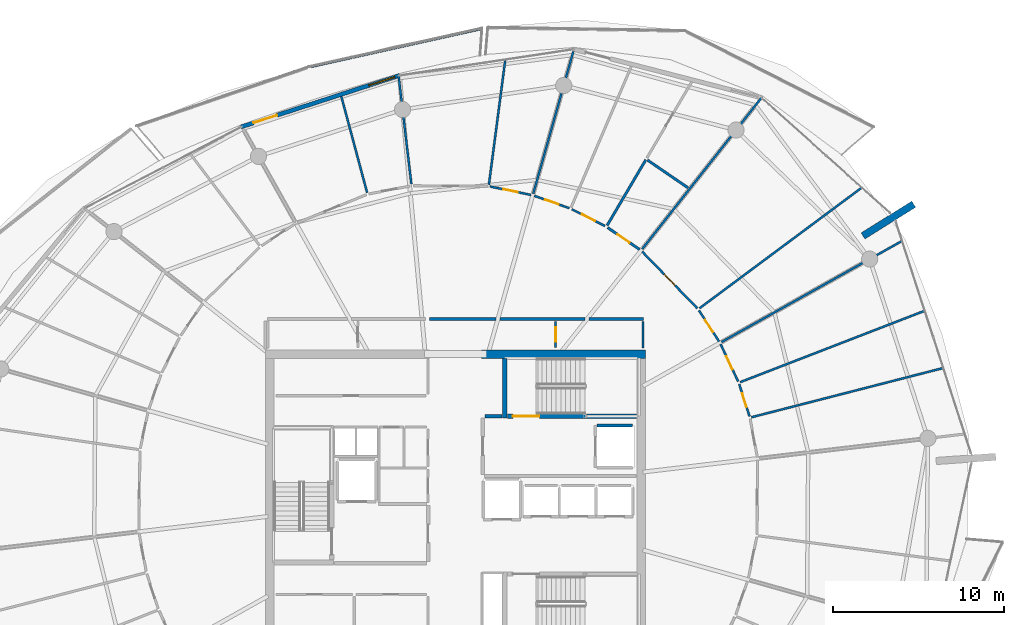
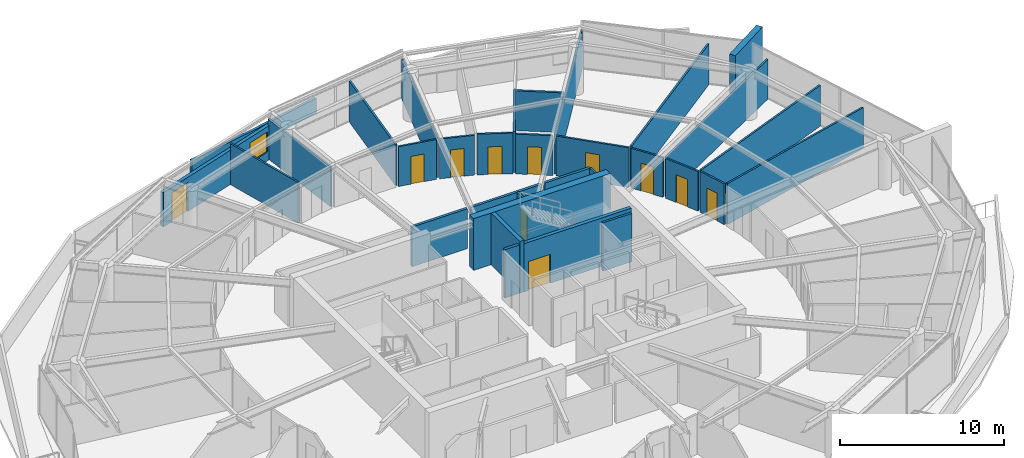
# One storey, part 22 of 30: 32 walls, 11 doors, 1 window, 12 openings.
"""IFC4 building model written with IfcOpenShell, lengths in metres."""

from ifc_helpers import new_model, si_unit, direction, frame, frame_2d, origin, place, context, subcontext, project, spatial, polyline, rectangle, outline, extrude, material, layer, layer_set, type_object, element, fill, save


model = new_model("IFC4")

# Units and contexts
model_context = context("Model", 3, precision=1e-05, world=origin(), true_north=direction((0.0, 1.0)))
body_context = subcontext(model_context, "Body", "Model", "MODEL_VIEW")
ifc_project = project(units=[si_unit("LENGTHUNIT", "METRE"), si_unit("AREAUNIT", "SQUARE_METRE"), si_unit("VOLUMEUNIT", "CUBIC_METRE"), si_unit("PLANEANGLEUNIT", "RADIAN"), si_unit("MASSUNIT", "GRAM", prefix="KILO")], contexts=[model_context])

# Site, building, storey
site_placement = place(None, origin())
site = spatial("IfcSite", under=ifc_project, at=site_placement, CompositionType="ELEMENT")
building_placement = place(site_placement, origin())
building = spatial("IfcBuilding", under=site, at=building_placement, Name="Kazma Halo Residences", CompositionType="ELEMENT")
storey_placement = place(building_placement, frame((0.0, 0.0, 298.300048828125)))
storey = spatial("IfcBuildingStorey", under=building, at=storey_placement, Name="L75", CompositionType="ELEMENT", Elevation=298.300048828125)

# Walls
ifc_material_1 = material(Name="White Concrete C50/60 Balustrade", Category="concrete")
ifc_layer_1 = layer(ifc_material_1, 0.179931640625)
ifc_layer_set_1 = layer_set([ifc_layer_1], Name="White Concrete C50/60 Balustrade")
wall_type_1 = type_object("IfcWallType", Name="WL-BAL-WAVE-180", PredefinedType="PARAPET", material=ifc_layer_set_1)
wall_1_placement = place(storey_placement, frame((49.98291015625, 69.327392578125, 0.0), z_axis=(0.0, 0.0, 1.0), x_axis=(-0.976130464401, -0.217184982143, 0.0)))
element("IfcWall", 1, at=wall_1_placement, inside=storey, type_object=wall_type_1, Name="L75 white wave balustrade wall NNW.1", PredefinedType="PARAPET", context=body_context, shape_type="SweptSolid", body=[
    extrude(outline(polyline([(0.0, 0.0), (10.257568359375, 0.0), (10.25732421875, 1.347900390625), (5.128662109375, 1.181884765625), (0.0, 1.119873046875), (0.0, 0.0)])), frame((0.0, 0.08984375, 0.0), z_axis=(0.0, -1.0, 0.0), x_axis=(1.0, 0.0, 0.0)), (0.0, 0.0, 1.0), 0.179931640625),
])
ifc_material_2 = material(Name="Pale Concrete C60/75", Category="concrete")
ifc_layer_2 = layer(ifc_material_2, 0.419921875)
ifc_layer_set_2 = layer_set([ifc_layer_2], Name="Pale Concrete C60/75")
wall_type_2 = type_object("IfcWallType", Name="WL-BLADE-420", PredefinedType="SOLIDWALL", material=ifc_layer_set_2)
wall_2_placement = place(storey_placement, frame((72.281494140625, 57.172607421875, 0.0), z_axis=(0.0, 0.0, 1.0), x_axis=(0.848033572426, 0.529942506352, 0.0)))
element("IfcWall", 2, at=wall_2_placement, inside=storey, type_object=wall_type_2, Name="L75 pale concrete structural blade fin wall BW-01", PredefinedType="SOLIDWALL", context=body_context, shape_type="SweptSolid", body=[
    extrude(rectangle(XDim=3.5, YDim=0.419921875, at=frame_2d((1.75, 0.0))), origin(), (0.0, 0.0, 1.0), 3.849853515625),
])
ifc_material_3 = material(Name="Concrete C60/75", Category="concrete")
ifc_layer_3 = layer(ifc_material_3, 0.5)
ifc_layer_set_3 = layer_set([ifc_layer_3], Name="Concrete C60/75")
wall_type_3 = type_object("IfcWallType", Name="WL-CORE-500", PredefinedType="SHEAR", material=ifc_layer_set_3)
wall_3_placement = place(storey_placement, frame((49.949951171875, 50.25, 0.0), z_axis=(0.0, 0.0, 1.0), x_axis=(1.0, 0.0, 0.0)))
element("IfcWall", 3, at=wall_3_placement, inside=storey, type_object=wall_type_3, Name="L75 central core shear wall NE", PredefinedType="SHEAR", context=body_context, shape_type="SweptSolid", body=[
    extrude(rectangle(XDim=9.60009765625, YDim=0.5, at=frame_2d((4.800048828125, 0.0))), origin(), (0.0, 0.0, 1.0), 3.849853515625),
])
ifc_layer_4 = layer(ifc_material_3, 0.280029296875)
ifc_layer_set_4 = layer_set([ifc_layer_4], Name="Concrete C60/75")
wall_type_4 = type_object("IfcWallType", Name="WL-CORE-ST-280", PredefinedType="SHEAR", material=ifc_layer_set_4)
wall_4_placement = place(storey_placement, frame((51.31005859375, 46.5, 0.0), z_axis=(0.0, 0.0, 1.0), x_axis=(0.0, 1.0, 0.0)))
element("IfcWall", 4, at=wall_4_placement, inside=storey, type_object=wall_type_4, Name="L75 stairwell bearing wall ST02-W", PredefinedType="SHEAR", context=body_context, shape_type="SweptSolid", body=[
    extrude(rectangle(XDim=3.5, YDim=0.280029296875, at=frame_2d((1.75, 0.0))), origin(), (0.0, 0.0, 1.0), 3.849853515625),
])
ifc_material_4 = material(Name="Acoustic Twin-Stud Gypsum")
ifc_layer_5 = layer(ifc_material_4, 0.179931640625)
ifc_layer_set_5 = layer_set([ifc_layer_5], Name="Acoustic Twin-Stud Gypsum")
wall_type_5 = type_object("IfcWallType", Name="WL-DEM-180", PredefinedType="PARTITIONING", material=ifc_layer_set_5)
wall_5_placement = place(storey_placement, frame((59.429931640625, 52.300048828125, 0.0), z_axis=(0.0, 0.0, 1.0), x_axis=(-1.0, 0.0, 0.0)))
element("IfcWall", 5, at=wall_5_placement, inside=storey, type_object=wall_type_5, Name="L75 Apartment 2 inner wall 0", PredefinedType="PARTITIONING", context=body_context, shape_type="SweptSolid", body=[
    extrude(rectangle(XDim=3.18994140625, YDim=0.179931640625, at=frame_2d((1.594970703125, 0.0))), origin(), (0.0, 0.0, 1.0), 2.95703125),
])
wall_6_placement = place(storey_placement, frame((56.0, 52.300048828125, 0.0), z_axis=(0.0, 0.0, 1.0), x_axis=(-1.0, 0.0, 0.0)))
element("IfcWall", 6, at=wall_6_placement, inside=storey, type_object=wall_type_5, Name="L75 Apartment 2 inner wall 1", PredefinedType="PARTITIONING", context=body_context, shape_type="SweptSolid", body=[
    extrude(rectangle(XDim=4.97509765625, YDim=0.179931640625, at=frame_2d((2.487548828125, 0.0))), origin(), (0.0, 0.0, 1.0), 2.95703125),
])
wall_7_placement = place(storey_placement, frame((50.784912109375, 52.300048828125, 0.0), z_axis=(0.0, 0.0, 1.0), x_axis=(-1.0, 0.0, 0.0)))
element("IfcWall", 7, at=wall_7_placement, inside=storey, type_object=wall_type_5, Name="L75 Apartment 2 inner wall 2", PredefinedType="PARTITIONING", context=body_context, shape_type="SweptSolid", body=[
    extrude(rectangle(XDim=3.884033203125, YDim=0.179931640625, at=frame_2d((1.94189453125, 0.0))), origin(), (0.0, 0.0, 1.0), 2.95703125),
])

# Wall, openings, door, window
ifc_material_5 = material(Name="Insulated Pale-Metal Composite Wall")
ifc_layer_6 = layer(ifc_material_5, 0.239990234375)
ifc_layer_set_6 = layer_set([ifc_layer_6], Name="Insulated Pale-Metal Composite Wall")
wall_type_6 = type_object("IfcWallType", Name="WL-EXT-HOST-240", PredefinedType="SOLIDWALL", material=ifc_layer_set_6)
wall_8_placement = place(storey_placement, frame((45.14208984375, 66.563720703125, 0.0), z_axis=(0.0, 0.0, 1.0), x_axis=(-0.951055974609, -0.309018661507, 0.0)))
wall_8 = element("IfcWall", 8, at=wall_8_placement, inside=storey, type_object=wall_type_6, Name="L75 exterior terrace-access wall B04", PredefinedType="SOLIDWALL", context=body_context, shape_type="SweptSolid", body=[
    extrude(rectangle(XDim=9.745361328125, YDim=0.239990234375, at=frame_2d((4.87255859375, 0.0))), origin(), (0.0, 0.0, 1.0), 2.5400390625),
])
opening_1_placement = place(wall_8_placement, frame((7.525390625, 0.0, 0.0)))
opening_1 = element("IfcOpeningElement", 9, at=opening_1_placement, cuts=wall_8, Name="Opening DTR-1600", PredefinedType="OPENING", context=body_context, shape_type="SweptSolid", body=[
    extrude(rectangle(XDim=1.449951171875, YDim=2.14990234375, at=frame_2d((0.72509765625, 1.074951171875))), frame((0.0, 0.1298828125, 0.0), z_axis=(0.0, -1.0, 0.0), x_axis=(1.0, 0.0, 0.0)), (0.0, 0.0, 1.0), 0.260009765625),
])
opening_2_placement = place(wall_8_placement, frame((0.280029296875, 0.0, 0.64990234375)))
opening_2 = element("IfcOpeningElement", 10, at=opening_2_placement, cuts=wall_8, Name="Opening W-1800", PredefinedType="OPENING", context=body_context, shape_type="SweptSolid", body=[
    extrude(rectangle(XDim=1.60009765625, YDim=1.5, at=frame_2d((0.800048828125, 0.75))), frame((0.0, 0.1298828125, 0.0), z_axis=(0.0, -1.0, 0.0), x_axis=(1.0, 0.0, 0.0)), (0.0, 0.0, 1.0), 0.260009765625),
])
ifc_material_6 = material(Name="Aluminium AW-6063 T6 Double-Glazed Terrace Door", Category="aluminium")
door_type_1 = type_object("IfcDoorType", Name="DR-EXT-TERR-1600", OperationType="NOTDEFINED", PredefinedType="DOOR", material=ifc_material_6)
door_1_placement = place(opening_1_placement, origin())
door_1 = element("IfcDoor", 11, at=door_1_placement, inside=storey, type_object=door_type_1, Name="L75 B04 balcony terrace door", OperationType="DOUBLE_DOOR_SLIDING", OverallHeight=2.14990234375, OverallWidth=1.449951171875, PredefinedType="DOOR", context=body_context, shape_type="SweptSolid", body=[
    extrude(rectangle(XDim=1.449951171875, YDim=2.14990234375, at=frame_2d((0.72509765625, 1.074951171875))), frame((0.0, 0.02490234375, 0.0), z_axis=(0.0, -1.0, 0.0), x_axis=(1.0, 0.0, 0.0)), (0.0, 0.0, 1.0), 0.050048828125),
])
fill(opening_1, door_1)
ifc_material_7 = material(Name="Clear Triple-Silver Low-E Glass in Aluminium AW-6063 T6 Frame", Category="aluminium")
window_type = type_object("IfcWindowType", Name="WIN-RES-1800", PartitioningType="DOUBLE_PANEL_VERTICAL", PredefinedType="WINDOW", material=ifc_material_7)
window_placement = place(opening_2_placement, origin())
window = element("IfcWindow", 12, at=window_placement, inside=storey, type_object=window_type, Name="L75 B04 apartment window", OverallHeight=1.5, OverallWidth=1.60009765625, PartitioningType="SINGLE_PANEL", PredefinedType="WINDOW", context=body_context, shape_type="SweptSolid", body=[
    extrude(rectangle(XDim=1.60009765625, YDim=1.5, at=frame_2d((0.800048828125, 0.75))), frame((0.0, 0.030029296875, 0.0), z_axis=(0.0, -1.0, 0.0), x_axis=(1.0, 0.0, 0.0)), (0.0, 0.0, 1.0), 0.06005859375),
])
fill(opening_2, window)

# Walls
ifc_material_8 = material(Name="Fire-Rated Blockwork Masonry", Category="masonry")
ifc_layer_7 = layer(ifc_material_8, 0.199951171875)
ifc_layer_set_7 = layer_set([ifc_layer_7], Name="Fire-Rated Blockwork Masonry")
wall_type_7 = type_object("IfcWallType", Name="WL-FLB-200", PredefinedType="PARTITIONING", material=ifc_layer_set_7)
wall_9_placement = place(storey_placement, frame((56.719970703125, 46.080078125, 0.0), z_axis=(0.0, 0.0, 1.0), x_axis=(1.0, 0.0, 0.0)))
element("IfcWall", 13, at=wall_9_placement, inside=storey, type_object=wall_type_7, Name="L75 lift shaft FL-02 side wall N", PredefinedType="PARTITIONING", context=body_context, shape_type="SweptSolid", body=[
    extrude(rectangle(XDim=2.06005859375, YDim=0.159912109375, at=frame_2d((1.030029296875, 0.0))), origin(), (0.0, 0.0, 1.0), 3.58984375),
])
wall_10_placement = place(storey_placement, frame((50.139892578125, 46.6201171875, 0.0), z_axis=(0.0, 0.0, 1.0), x_axis=(1.0, 0.0, 0.0)))
element("IfcWall", 14, at=wall_10_placement, inside=storey, type_object=wall_type_7, Name="L75 east firefighting lobby north closure wall", PredefinedType="PARTITIONING", context=body_context, shape_type="SweptSolid", body=[
    extrude(rectangle(XDim=1.02001953125, YDim=0.199951171875, at=frame_2d((0.510009765625, 0.0))), origin(), (0.0, 0.0, 1.0), 3.58984375),
])
ifc_material_9 = material(Name="Gypsum Plasterboard Partition")
ifc_layer_8 = layer(ifc_material_9, 0.125)
ifc_layer_set_8 = layer_set([ifc_layer_8], Name="Gypsum Plasterboard Partition")
wall_type_8 = type_object("IfcWallType", Name="WL-PART-125", PredefinedType="PARTITIONING", material=ifc_layer_set_8)
wall_11_placement = place(storey_placement, frame((59.409912109375, 50.6201171875, 0.0), z_axis=(0.0, 0.0, 1.0), x_axis=(0.0, 1.0, 0.0)))
element("IfcWall", 15, at=wall_11_placement, inside=storey, type_object=wall_type_8, Name="L75 east cupboard end wall", PredefinedType="PARTITIONING", context=body_context, shape_type="SweptSolid", body=[
    extrude(rectangle(XDim=1.539794921875, YDim=0.125, at=frame_2d((0.77001953125, 0.0))), origin(), (0.0, 0.0, 1.0), 3.030029296875),
])

# Wall, opening, door
wall_12_placement = place(storey_placement, frame((54.2900390625, 50.639892578125, 0.0), z_axis=(0.0, 0.0, 1.0), x_axis=(0.0, 1.0, 0.0)))
wall_12 = element("IfcWall", 16, at=wall_12_placement, inside=storey, type_object=wall_type_8, Name="L75 floor metering cupboard door wall", PredefinedType="PARTITIONING", context=body_context, shape_type="SweptSolid", body=[
    extrude(rectangle(XDim=1.52001953125, YDim=0.125, at=frame_2d((0.760009765625, 0.0))), origin(), (0.0, 0.0, 1.0), 3.030029296875),
])
opening_3_placement = place(wall_12_placement, frame((0.3349609375, 0.0, 0.0)))
opening_3 = element("IfcOpeningElement", 17, at=opening_3_placement, cuts=wall_12, Name="Opening DS-850", PredefinedType="OPENING", context=body_context, shape_type="SweptSolid", body=[
    extrude(rectangle(XDim=0.85009765625, YDim=2.06005859375, at=frame_2d((0.425048828125, 1.030029296875))), frame((0.0, 0.072509765625, 0.0), z_axis=(0.0, -1.0, 0.0), x_axis=(1.0, 0.0, 0.0)), (0.0, 0.0, 1.0), 0.14501953125),
])
ifc_material_10 = material(Name="Painted Steel Access Leaf", Category="steel")
door_type_2 = type_object("IfcDoorType", Name="DR-SVC-850", OperationType="NOTDEFINED", PredefinedType="DOOR", material=ifc_material_10)
door_2_placement = place(opening_3_placement, origin())
door_2 = element("IfcDoor", 18, at=door_2_placement, inside=storey, type_object=door_type_2, Name="L75 floor cupboard door", OperationType="SINGLE_SWING_LEFT", OverallHeight=2.06005859375, OverallWidth=0.85009765625, PredefinedType="DOOR", context=body_context, shape_type="SweptSolid", body=[
    extrude(rectangle(XDim=0.85009765625, YDim=2.06005859375, at=frame_2d((0.425048828125, 1.030029296875))), frame((0.0, 0.02490234375, 0.0), z_axis=(0.0, -1.0, 0.0), x_axis=(1.0, 0.0, 0.0)), (0.0, 0.0, 1.0), 0.050048828125),
])
fill(opening_3, door_2)

# Walls
wall_13_placement = place(storey_placement, frame((65.750244140625, 46.5576171875, 0.0), z_axis=(0.0, 0.0, 1.0), x_axis=(0.968584853299, 0.248683296503, 0.0)))
element("IfcWall", 19, at=wall_13_placement, inside=storey, type_object=wall_type_8, Name="L75 Apartment 2 bay wall 1 15", PredefinedType="PARTITIONING", context=body_context, shape_type="SweptSolid", body=[
    extrude(rectangle(XDim=11.57763671875, YDim=0.125, at=frame_2d((5.788818359375, 0.0))), origin(), (0.0, 0.0, 1.0), 3.030029296875),
])
wall_14_placement = place(storey_placement, frame((65.091552734375, 48.6123046875, 0.0), z_axis=(0.0, 0.0, 1.0), x_axis=(0.932639155343, 0.360810484772, 0.0)))
element("IfcWall", 20, at=wall_14_placement, inside=storey, type_object=wall_type_8, Name="L75 Apartment 2 bay wall 2 15", PredefinedType="PARTITIONING", context=body_context, shape_type="SweptSolid", body=[
    extrude(rectangle(XDim=11.56396484375, YDim=0.125, at=frame_2d((5.781982421875, 0.0))), origin(), (0.0, 0.0, 1.0), 3.030029296875),
])

# Wall, opening, door
wall_15_placement = place(storey_placement, frame((65.638671875, 46.611328125, 0.0), z_axis=(0.0, 0.0, 1.0), x_axis=(-0.305332960883, 0.952245652654, 0.0)))
wall_15 = element("IfcWall", 21, at=wall_15_placement, inside=storey, type_object=wall_type_8, Name="L75 Apartment 2 West Dressing Wardrobe hall wall", PredefinedType="PARTITIONING", context=body_context, shape_type="SweptSolid", body=[
    extrude(rectangle(XDim=1.987060546875, YDim=0.125, at=frame_2d((0.99365234375, 0.0))), origin(), (0.0, 0.0, 1.0), 3.030029296875),
])
opening_4_placement = place(wall_15_placement, frame((0.568603515625, 0.0, 0.0)))
opening_4 = element("IfcOpeningElement", 22, at=opening_4_placement, cuts=wall_15, Name="Opening DB-900", PredefinedType="OPENING", context=body_context, shape_type="SweptSolid", body=[
    extrude(rectangle(XDim=0.85009765625, YDim=2.06005859375, at=frame_2d((0.425048828125, 1.030029296875))), frame((0.0, 0.072509765625, 0.0), z_axis=(0.0, -1.0, 0.0), x_axis=(1.0, 0.0, 0.0)), (0.0, 0.0, 1.0), 0.14501953125),
])
ifc_material_11 = material(Name="Moisture-Sealed Timber Leaf", Category="wood")
door_type_3 = type_object("IfcDoorType", Name="DR-BTH-900", OperationType="NOTDEFINED", PredefinedType="DOOR", material=ifc_material_11)
door_3_placement = place(opening_4_placement, origin())
door_3 = element("IfcDoor", 23, at=door_3_placement, inside=storey, type_object=door_type_3, Name="L75 Apartment 2 West Dressing Wardrobe door", OperationType="SINGLE_SWING_LEFT", OverallHeight=2.06005859375, OverallWidth=0.85009765625, PredefinedType="DOOR", context=body_context, shape_type="SweptSolid", body=[
    extrude(rectangle(XDim=0.85009765625, YDim=2.06005859375, at=frame_2d((0.425048828125, 1.030029296875))), frame((0.0, 0.02490234375, 0.0), z_axis=(0.0, -1.0, 0.0), x_axis=(1.0, 0.0, 0.0)), (0.0, 0.0, 1.0), 0.050048828125),
])
fill(opening_4, door_3)

wall_16_placement = place(storey_placement, frame((64.973388671875, 48.652099609375, 0.0), z_axis=(0.0, 0.0, 1.0), x_axis=(-0.425743502352, 0.904843892727, 0.0)))
wall_16 = element("IfcWall", 24, at=wall_16_placement, inside=storey, type_object=wall_type_8, Name="L75 Apartment 2 North Master Bedroom hall wall", PredefinedType="PARTITIONING", context=body_context, shape_type="SweptSolid", body=[
    extrude(rectangle(XDim=2.416015625, YDim=0.125, at=frame_2d((1.2080078125, 0.0))), origin(), (0.0, 0.0, 1.0), 2.95703125),
])
opening_5_placement = place(wall_16_placement, frame((0.782958984375, 0.0, 0.0)))
opening_5 = element("IfcOpeningElement", 25, at=opening_5_placement, cuts=wall_16, Name="Opening DB-900", PredefinedType="OPENING", context=body_context, shape_type="SweptSolid", body=[
    extrude(rectangle(XDim=0.85009765625, YDim=2.06005859375, at=frame_2d((0.425048828125, 1.030029296875))), frame((0.0, 0.072509765625, 0.0), z_axis=(0.0, -1.0, 0.0), x_axis=(1.0, 0.0, 0.0)), (0.0, 0.0, 1.0), 0.14501953125),
])
door_4_placement = place(opening_5_placement, origin())
door_4 = element("IfcDoor", 26, at=door_4_placement, inside=storey, type_object=door_type_3, Name="L75 Apartment 2 North Master Bedroom door", OperationType="SINGLE_SWING_RIGHT", OverallHeight=2.06005859375, OverallWidth=0.85009765625, PredefinedType="DOOR", context=body_context, shape_type="SweptSolid", body=[
    extrude(rectangle(XDim=0.85009765625, YDim=2.06005859375, at=frame_2d((0.425048828125, 1.030029296875))), frame((0.0, 0.02490234375, 0.0), z_axis=(0.0, -1.0, 0.0), x_axis=(1.0, 0.0, 0.0)), (0.0, 0.0, 1.0), 0.050048828125),
])
fill(opening_5, door_4)

# Walls
wall_17_placement = place(storey_placement, frame((63.998046875, 50.95947265625, 0.0), z_axis=(0.0, 0.0, 1.0), x_axis=(0.872499131003, 0.488615663276, 0.0)))
element("IfcWall", 27, at=wall_17_placement, inside=storey, type_object=wall_type_8, Name="L75 Apartment 2 radial partition 0", PredefinedType="PARTITIONING", context=body_context, shape_type="SweptSolid", body=[
    extrude(rectangle(XDim=12.09375, YDim=0.125, at=frame_2d((6.046875, 0.0))), origin(), (0.0, 0.0, 1.0), 2.95703125),
])
wall_18_placement = place(storey_placement, frame((62.706787109375, 52.93408203125, 0.0), z_axis=(0.0, 0.0, 1.0), x_axis=(0.802495582548, 0.59665805952, 0.0)))
element("IfcWall", 28, at=wall_18_placement, inside=storey, type_object=wall_type_8, Name="L75 Apartment 2 mid-bay wall 0", PredefinedType="PARTITIONING", context=body_context, shape_type="SweptSolid", body=[
    extrude(rectangle(XDim=11.812255859375, YDim=0.125, at=frame_2d((5.90625, 0.0))), origin(), (0.0, 0.0, 1.0), 3.030029296875),
])

# Wall, opening, door
wall_19_placement = place(storey_placement, frame((63.8564453125, 50.994384765625, 0.0), z_axis=(0.0, 0.0, 1.0), x_axis=(-0.543760300151, 0.839240570981, 0.0)))
wall_19 = element("IfcWall", 29, at=wall_19_placement, inside=storey, type_object=wall_type_8, Name="L75 Apartment 2 South Wine Pantry Store hall wall", PredefinedType="PARTITIONING", context=body_context, shape_type="SweptSolid", body=[
    extrude(rectangle(XDim=2.167236328125, YDim=0.125, at=frame_2d((1.08349609375, 0.0))), origin(), (0.0, 0.0, 1.0), 2.95703125),
])
opening_6_placement = place(wall_19_placement, frame((0.65869140625, 0.0, 0.0)))
opening_6 = element("IfcOpeningElement", 30, at=opening_6_placement, cuts=wall_19, Name="Opening DB-900", PredefinedType="OPENING", context=body_context, shape_type="SweptSolid", body=[
    extrude(rectangle(XDim=0.85009765625, YDim=2.06005859375, at=frame_2d((0.425048828125, 1.030029296875))), frame((0.0, 0.072509765625, 0.0), z_axis=(0.0, -1.0, 0.0), x_axis=(1.0, 0.0, 0.0)), (0.0, 0.0, 1.0), 0.14501953125),
])
door_5_placement = place(opening_6_placement, origin())
door_5 = element("IfcDoor", 31, at=door_5_placement, inside=storey, type_object=door_type_3, Name="L75 Apartment 2 South Wine Pantry Store door", OperationType="SINGLE_SWING_RIGHT", OverallHeight=2.06005859375, OverallWidth=0.85009765625, PredefinedType="DOOR", context=body_context, shape_type="SweptSolid", body=[
    extrude(rectangle(XDim=0.85009765625, YDim=2.06005859375, at=frame_2d((0.425048828125, 1.030029296875))), frame((0.0, 0.02490234375, 0.0), z_axis=(0.0, -1.0, 0.0), x_axis=(1.0, 0.0, 0.0)), (0.0, 0.0, 1.0), 0.050048828125),
])
fill(opening_6, door_5)

wall_20_placement = place(storey_placement, frame((62.57861328125, 52.937744140625, 0.0), z_axis=(0.0, 0.0, 1.0), x_axis=(-0.697017998251, 0.717053631268, 0.0)))
wall_20 = element("IfcWall", 32, at=wall_20_placement, inside=storey, type_object=wall_type_8, Name="L75 Apartment 2 Inner Formal Dining Room hall wall", PredefinedType="PARTITIONING", context=body_context, shape_type="SweptSolid", body=[
    extrude(rectangle(XDim=4.6181640625, YDim=0.125, at=frame_2d((2.30908203125, 0.0))), origin(), (0.0, 0.0, 1.0), 2.95703125),
])
opening_7_placement = place(wall_20_placement, frame((1.859130859375, 0.0, 0.0)))
opening_7 = element("IfcOpeningElement", 33, at=opening_7_placement, cuts=wall_20, Name="Opening DI-950", PredefinedType="OPENING", context=body_context, shape_type="SweptSolid", body=[
    extrude(rectangle(XDim=0.89990234375, YDim=2.080078125, at=frame_2d((0.449951171875, 1.0400390625))), frame((0.0, 0.072509765625, 0.0), z_axis=(0.0, -1.0, 0.0), x_axis=(1.0, 0.0, 0.0)), (0.0, 0.0, 1.0), 0.14501953125),
])
ifc_material_12 = material(Name="Timber Veneer Flush Leaf", Category="wood")
door_type_4 = type_object("IfcDoorType", Name="DR-INT-950", OperationType="NOTDEFINED", PredefinedType="DOOR", material=ifc_material_12)
door_6_placement = place(opening_7_placement, origin())
door_6 = element("IfcDoor", 34, at=door_6_placement, inside=storey, type_object=door_type_4, Name="L75 Apartment 2 Inner Formal Dining Room door", OperationType="SINGLE_SWING_LEFT", OverallHeight=2.080078125, OverallWidth=0.89990234375, PredefinedType="DOOR", context=body_context, shape_type="SweptSolid", body=[
    extrude(rectangle(XDim=0.89990234375, YDim=2.080078125, at=frame_2d((0.449951171875, 1.0400390625))), frame((0.0, 0.02490234375, 0.0), z_axis=(0.0, -1.0, 0.0), x_axis=(1.0, 0.0, 0.0)), (0.0, 0.0, 1.0), 0.050048828125),
])
fill(opening_7, door_6)

# Wall
wall_21_placement = place(storey_placement, frame((59.351806640625, 56.3994140625, 0.0), z_axis=(0.0, 0.0, 1.0), x_axis=(0.619083822168, 0.78532491437, 0.0)))
element("IfcWall", 35, at=wall_21_placement, inside=storey, type_object=wall_type_8, Name="L75 Apartment 2 radial partition 1", PredefinedType="PARTITIONING", context=body_context, shape_type="SweptSolid", body=[
    extrude(rectangle(XDim=11.259765625, YDim=0.125, at=frame_2d((5.6298828125, 0.0))), origin(), (0.0, 0.0, 1.0), 2.95703125),
])

# Wall, opening, door
wall_22_placement = place(storey_placement, frame((57.177978515625, 57.751708984375, 0.0), z_axis=(0.0, 0.0, 1.0), x_axis=(-0.892467562153, 0.451111572125, 0.0)))
wall_22 = element("IfcWall", 36, at=wall_22_placement, inside=storey, type_object=wall_type_8, Name="L75 Apartment 2 Garden Private Study hall wall", PredefinedType="PARTITIONING", context=body_context, shape_type="SweptSolid", body=[
    extrude(rectangle(XDim=2.17724609375, YDim=0.125, at=frame_2d((1.088623046875, 0.0))), origin(), (0.0, 0.0, 1.0), 3.030029296875),
])
opening_8_placement = place(wall_22_placement, frame((0.66357421875, 0.0, 0.0)))
opening_8 = element("IfcOpeningElement", 37, at=opening_8_placement, cuts=wall_22, Name="Opening DB-900", PredefinedType="OPENING", context=body_context, shape_type="SweptSolid", body=[
    extrude(rectangle(XDim=0.85009765625, YDim=2.06005859375, at=frame_2d((0.425048828125, 1.030029296875))), frame((0.0, 0.072509765625, 0.0), z_axis=(0.0, -1.0, 0.0), x_axis=(1.0, 0.0, 0.0)), (0.0, 0.0, 1.0), 0.14501953125),
])
door_7_placement = place(opening_8_placement, origin())
door_7 = element("IfcDoor", 38, at=door_7_placement, inside=storey, type_object=door_type_3, Name="L75 Apartment 2 Garden Private Study door", OperationType="SINGLE_SWING_LEFT", OverallHeight=2.06005859375, OverallWidth=0.85009765625, PredefinedType="DOOR", context=body_context, shape_type="SweptSolid", body=[
    extrude(rectangle(XDim=0.85009765625, YDim=2.06005859375, at=frame_2d((0.425048828125, 1.030029296875))), frame((0.0, 0.02490234375, 0.0), z_axis=(0.0, -1.0, 0.0), x_axis=(1.0, 0.0, 0.0)), (0.0, 0.0, 1.0), 0.050048828125),
])
fill(opening_8, door_7)

wall_23_placement = place(storey_placement, frame((55.087890625, 58.796630859375, 0.0), z_axis=(0.0, 0.0, 1.0), x_axis=(-0.942971615288, 0.332873148152, 0.0)))
wall_23 = element("IfcWall", 39, at=wall_23_placement, inside=storey, type_object=wall_type_8, Name="L75 Apartment 2 Sky Master Bedroom hall wall", PredefinedType="PARTITIONING", context=body_context, shape_type="SweptSolid", body=[
    extrude(rectangle(XDim=2.167236328125, YDim=0.125, at=frame_2d((1.08349609375, 0.0))), origin(), (0.0, 0.0, 1.0), 2.95703125),
])
opening_9_placement = place(wall_23_placement, frame((0.65869140625, 0.0, 0.0)))
opening_9 = element("IfcOpeningElement", 40, at=opening_9_placement, cuts=wall_23, Name="Opening DB-900", PredefinedType="OPENING", context=body_context, shape_type="SweptSolid", body=[
    extrude(rectangle(XDim=0.85009765625, YDim=2.06005859375, at=frame_2d((0.425048828125, 1.030029296875))), frame((0.0, 0.072509765625, 0.0), z_axis=(0.0, -1.0, 0.0), x_axis=(1.0, 0.0, 0.0)), (0.0, 0.0, 1.0), 0.14501953125),
])
door_8_placement = place(opening_9_placement, origin())
door_8 = element("IfcDoor", 41, at=door_8_placement, inside=storey, type_object=door_type_3, Name="L75 Apartment 2 Sky Master Bedroom door", OperationType="SINGLE_SWING_RIGHT", OverallHeight=2.06005859375, OverallWidth=0.85009765625, PredefinedType="DOOR", context=body_context, shape_type="SweptSolid", body=[
    extrude(rectangle(XDim=0.85009765625, YDim=2.06005859375, at=frame_2d((0.425048828125, 1.030029296875))), frame((0.0, 0.02490234375, 0.0), z_axis=(0.0, -1.0, 0.0), x_axis=(1.0, 0.0, 0.0)), (0.0, 0.0, 1.0), 0.050048828125),
])
fill(opening_9, door_8)

# Walls
wall_24_placement = place(storey_placement, frame((52.97705078125, 59.6474609375, 0.0), z_axis=(0.0, 0.0, 1.0), x_axis=(0.271446085083, 0.96245364714, 0.0)))
element("IfcWall", 42, at=wall_24_placement, inside=storey, type_object=wall_type_8, Name="L75 Apartment 2 radial partition 2", PredefinedType="PARTITIONING", context=body_context, shape_type="SweptSolid", body=[
    extrude(rectangle(XDim=8.648681640625, YDim=0.125, at=frame_2d((4.32421875, 0.0))), origin(), (0.0, 0.0, 1.0), 2.95703125),
])
wall_25_placement = place(storey_placement, frame((50.382568359375, 60.17041015625, 0.0), z_axis=(0.0, 0.0, 1.0), x_axis=(0.129989099313, 0.991515423006, 0.0)))
element("IfcWall", 43, at=wall_25_placement, inside=storey, type_object=wall_type_8, Name="L75 Apartment 2 mid-bay wall 2", PredefinedType="PARTITIONING", context=body_context, shape_type="SweptSolid", body=[
    extrude(rectangle(XDim=7.35498046875, YDim=0.125, at=frame_2d((3.677490234375, 0.0))), origin(), (0.0, 0.0, 1.0), 3.030029296875),
])

# Wall, opening, door
wall_26_placement = place(storey_placement, frame((52.85205078125, 59.5712890625, 0.0), z_axis=(0.0, 0.0, 1.0), x_axis=(-0.979521745736, 0.201338395816, 0.0)))
wall_26 = element("IfcWall", 44, at=wall_26_placement, inside=storey, type_object=wall_type_8, Name="L75 Apartment 2 Gulf Wine Pantry Store hall wall", PredefinedType="PARTITIONING", context=body_context, shape_type="SweptSolid", body=[
    extrude(rectangle(XDim=2.453125, YDim=0.125, at=frame_2d((1.2265625, 0.0))), origin(), (0.0, 0.0, 1.0), 2.95703125),
])
opening_10_placement = place(wall_26_placement, frame((0.801513671875, 0.0, 0.0)))
opening_10 = element("IfcOpeningElement", 45, at=opening_10_placement, cuts=wall_26, Name="Opening DB-900", PredefinedType="OPENING", context=body_context, shape_type="SweptSolid", body=[
    extrude(rectangle(XDim=0.85009765625, YDim=2.06005859375, at=frame_2d((0.425048828125, 1.030029296875))), frame((0.0, 0.072509765625, 0.0), z_axis=(0.0, -1.0, 0.0), x_axis=(1.0, 0.0, 0.0)), (0.0, 0.0, 1.0), 0.14501953125),
])
door_9_placement = place(opening_10_placement, origin())
door_9 = element("IfcDoor", 46, at=door_9_placement, inside=storey, type_object=door_type_3, Name="L75 Apartment 2 Gulf Wine Pantry Store door", OperationType="SINGLE_SWING_RIGHT", OverallHeight=2.06005859375, OverallWidth=0.85009765625, PredefinedType="DOOR", context=body_context, shape_type="SweptSolid", body=[
    extrude(rectangle(XDim=0.85009765625, YDim=2.06005859375, at=frame_2d((0.425048828125, 1.030029296875))), frame((0.0, 0.02490234375, 0.0), z_axis=(0.0, -1.0, 0.0), x_axis=(1.0, 0.0, 0.0)), (0.0, 0.0, 1.0), 0.050048828125),
])
fill(opening_10, door_9)

# Walls
wall_27_placement = place(storey_placement, frame((45.8447265625, 60.208984375, 0.0), z_axis=(0.0, 0.0, 1.0), x_axis=(-0.117529592268, 0.993069380729, 0.0)))
element("IfcWall", 47, at=wall_27_placement, inside=storey, type_object=wall_type_8, Name="L75 Apartment 2 radial partition 3", PredefinedType="PARTITIONING", context=body_context, shape_type="SweptSolid", body=[
    extrude(rectangle(XDim=6.358642578125, YDim=0.125, at=frame_2d((3.17919921875, 0.0))), origin(), (0.0, 0.0, 1.0), 2.95703125),
])
wall_28_placement = place(storey_placement, frame((43.254638671875, 59.700927734375, 0.0), z_axis=(0.0, 0.0, 1.0), x_axis=(-0.258974129201, 0.965884258286, 0.0)))
element("IfcWall", 48, at=wall_28_placement, inside=storey, type_object=wall_type_8, Name="L75 Apartment 2 mid-bay wall 3", PredefinedType="PARTITIONING", context=body_context, shape_type="SweptSolid", body=[
    extrude(rectangle(XDim=5.826904296875, YDim=0.125, at=frame_2d((2.91357421875, 0.0))), origin(), (0.0, 0.0, 1.0), 3.030029296875),
])

# Wall, opening, door
ifc_material_13 = material(Name="Concrete C50/60", Category="concrete")
ifc_layer_9 = layer(ifc_material_13, 0.25)
ifc_layer_set_9 = layer_set([ifc_layer_9], Name="Concrete C50/60")
wall_type_9 = type_object("IfcWallType", Name="WL-SHF-250", PredefinedType="SOLIDWALL", material=ifc_layer_set_9)
wall_29_placement = place(storey_placement, frame((51.47998046875, 46.6201171875, 0.0), z_axis=(0.0, 0.0, 1.0), x_axis=(1.0, 0.0, 0.0)))
wall_29 = element("IfcWall", 49, at=wall_29_placement, inside=storey, type_object=wall_type_9, Name="L75 exit stair ST-02 enclosure wall", PredefinedType="SOLIDWALL", context=body_context, shape_type="SweptSolid", body=[
    extrude(rectangle(XDim=7.5400390625, YDim=0.25, at=frame_2d((3.77001953125, 0.0))), origin(), (0.0, 0.0, 1.0), 3.58984375),
])
opening_11_placement = place(wall_29_placement, frame((0.300048828125, 0.0, 0.0)))
opening_11 = element("IfcOpeningElement", 50, at=opening_11_placement, cuts=wall_29, Name="Opening D-ST2", PredefinedType="OPENING", context=body_context, shape_type="SweptSolid", body=[
    extrude(rectangle(XDim=1.550048828125, YDim=2.14990234375, at=frame_2d((0.77490234375, 1.074951171875))), frame((0.0, 0.135009765625, 0.0), z_axis=(0.0, -1.0, 0.0), x_axis=(1.0, 0.0, 0.0)), (0.0, 0.0, 1.0), 0.27001953125),
])
ifc_material_14 = material(Name="Fire-Rated Double Steel Leaf", Category="steel")
door_type_5 = type_object("IfcDoorType", Name="DR-FD90-1550", OperationType="NOTDEFINED", PredefinedType="DOOR", material=ifc_material_14)
door_10_placement = place(opening_11_placement, origin())
door_10 = element("IfcDoor", 51, at=door_10_placement, inside=storey, type_object=door_type_5, Name="L75 exit stair ST-02 fire door", OperationType="DOUBLE_DOOR_SINGLE_SWING", OverallHeight=2.14990234375, OverallWidth=1.550048828125, PredefinedType="DOOR", context=body_context, shape_type="SweptSolid", body=[
    extrude(rectangle(XDim=1.550048828125, YDim=2.14990234375, at=frame_2d((0.77490234375, 1.074951171875))), frame((0.0, 0.02490234375, 0.0), z_axis=(0.0, -1.0, 0.0), x_axis=(1.0, 0.0, 0.0)), (0.0, 0.0, 1.0), 0.050048828125),
])
fill(opening_11, door_10)

ifc_material_15 = material(Name="Moisture-Resistant Gypsum")
ifc_layer_10 = layer(ifc_material_15, 0.14990234375)
ifc_layer_set_10 = layer_set([ifc_layer_10], Name="Moisture-Resistant Gypsum")
wall_type_10 = type_object("IfcWallType", Name="WL-WET-150", PredefinedType="PARTITIONING", material=ifc_layer_set_10)
wall_30_placement = place(storey_placement, frame((59.207275390625, 56.37744140625, 0.0), z_axis=(0.0, 0.0, 1.0), x_axis=(-0.825259809451, 0.56475326197, 0.0)))
wall_30 = element("IfcWall", 52, at=wall_30_placement, inside=storey, type_object=wall_type_10, Name="L75 Apartment 2 Outer En-Suite Bathroom hall wall", PredefinedType="PARTITIONING", context=body_context, shape_type="SweptSolid", body=[
    extrude(rectangle(XDim=2.271728515625, YDim=0.14990234375, at=frame_2d((1.1357421875, 0.0))), origin(), (0.0, 0.0, 1.0), 2.95703125),
])
opening_12_placement = place(wall_30_placement, frame((0.710693359375, 0.0, 0.0)))
opening_12 = element("IfcOpeningElement", 53, at=opening_12_placement, cuts=wall_30, Name="Opening DB-900", PredefinedType="OPENING", context=body_context, shape_type="SweptSolid", body=[
    extrude(rectangle(XDim=0.85009765625, YDim=2.06005859375, at=frame_2d((0.425048828125, 1.030029296875))), frame((0.0, 0.0849609375, 0.0), z_axis=(0.0, -1.0, 0.0), x_axis=(1.0, 0.0, 0.0)), (0.0, 0.0, 1.0), 0.169921875),
])
door_11_placement = place(opening_12_placement, origin())
door_11 = element("IfcDoor", 54, at=door_11_placement, inside=storey, type_object=door_type_3, Name="L75 Apartment 2 Outer En-Suite Bathroom door", OperationType="SINGLE_SWING_LEFT", OverallHeight=2.06005859375, OverallWidth=0.85009765625, PredefinedType="DOOR", context=body_context, shape_type="SweptSolid", body=[
    extrude(rectangle(XDim=0.85009765625, YDim=2.06005859375, at=frame_2d((0.425048828125, 1.030029296875))), frame((0.0, 0.02490234375, 0.0), z_axis=(0.0, -1.0, 0.0), x_axis=(1.0, 0.0, 0.0)), (0.0, 0.0, 1.0), 0.050048828125),
])
fill(opening_12, door_11)

# Walls
wall_31_placement = place(storey_placement, frame((62.048828125, 59.982177734375, 0.0), z_axis=(0.0, 0.0, 1.0), x_axis=(-0.825298975811, 0.56469602489, 0.0)))
element("IfcWall", 55, at=wall_31_placement, inside=storey, type_object=wall_type_10, Name="L75 Apartment 2 Outer En-Suite Bathroom back wall", PredefinedType="PARTITIONING", context=body_context, shape_type="SweptSolid", body=[
    extrude(rectangle(XDim=2.89111328125, YDim=0.14990234375, at=frame_2d((1.445556640625, 0.0))), origin(), (0.0, 0.0, 1.0), 2.95703125),
])
wall_32_placement = place(storey_placement, frame((57.303955078125, 57.78857421875, 0.0), z_axis=(0.0, 0.0, 1.0), x_axis=(0.507661108654, 0.861556845925, 0.0)))
element("IfcWall", 56, at=wall_32_placement, inside=storey, type_object=wall_type_10, Name="L75 Apartment 2 Outer En-Suite Bathroom side wall", PredefinedType="PARTITIONING", context=body_context, shape_type="SweptSolid", body=[
    extrude(rectangle(XDim=4.4599609375, YDim=0.14990234375, at=frame_2d((2.22998046875, 0.0))), origin(), (0.0, 0.0, 1.0), 3.030029296875),
])

save(model, "model.ifc")
